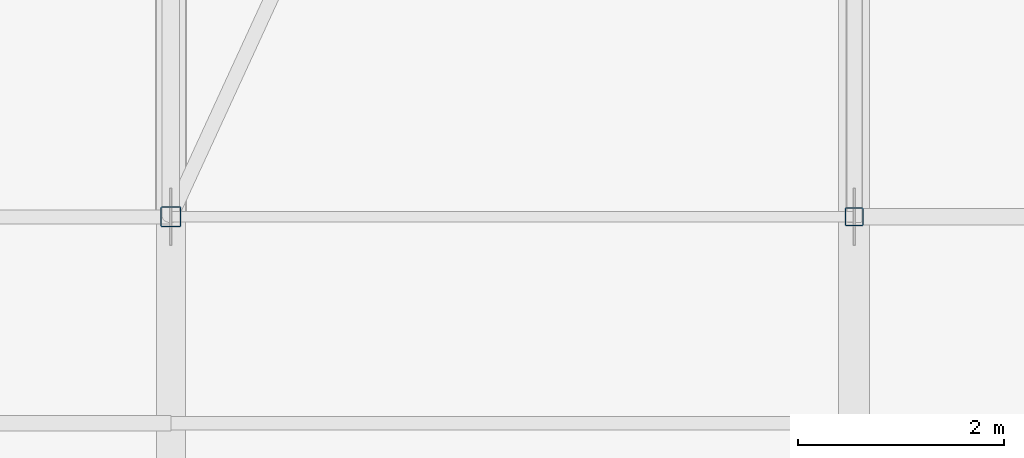
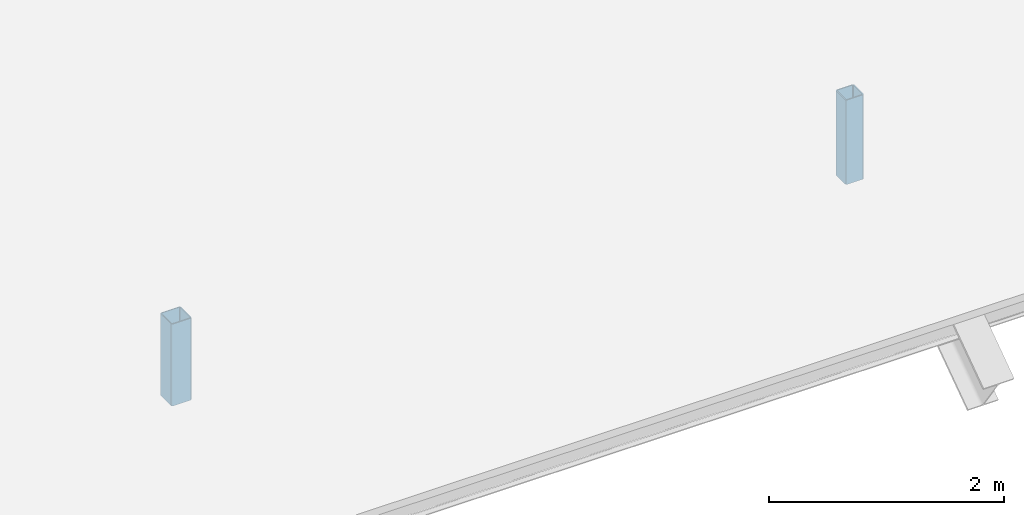
# One storey, part 87 of 134: 2 members.
"""IFC4 building model written with IfcOpenShell, lengths in metres."""

import ifcopenshell
import ifcopenshell.guid

model = None  # the IFC model being written
_history = None  # IfcOwnerHistory: only IFC2X3 demands one
_inside = {}  # id of a spatial element -> (the spatial element, [elements in it])
_under = {}  # id of a project, library or spatial element -> (it, [spatial elements below it])
_declared = {}  # id of a project -> (the project, [libraries it declares])
_typed = {}  # id of a type object -> (the type object, [elements of that type])
_made_of = {}  # id of a material, layer set ... -> (it, [elements and type objects made of it])


def new_model(schema):
    """Start an empty IFC model of exactly this schema.

    Asked for "IFC4X3", IfcOpenShell would pick the latest addendum, in which some entities
    have other attributes; the version numbers below select the first issue.
    IFC2X3 requires an IfcOwnerHistory on every rooted entity: one is made here for all.
    """
    global model, _history
    if schema == "IFC4X3":
        model = ifcopenshell.file(schema_version=(4, 3, 0, 0))
    else:
        model = ifcopenshell.file(schema=schema)
    _inside.clear()
    _under.clear()
    _declared.clear()
    _typed.clear()
    _made_of.clear()
    _history = None
    if model.schema == "IFC2X3":
        org = make("IfcOrganization", Name="unknown")
        user = make(
            "IfcPersonAndOrganization",
            ThePerson=make("IfcPerson", FamilyName="unknown"),
            TheOrganization=org,
        )
        app = make(
            "IfcApplication",
            ApplicationDeveloper=org,
            Version="unknown",
            ApplicationFullName="unknown",
            ApplicationIdentifier="unknown",
        )
        _history = make(
            "IfcOwnerHistory",
            OwningUser=user,
            OwningApplication=app,
            ChangeAction="ADDED",
            CreationDate=0,
        )
    return model


def make(cls, **values):
    """One entity of the class cls with the attributes given. An attribute that is None is left unset."""
    return model.create_entity(
        cls, **{name: value for name, value in values.items() if value is not None}
    )


def rooted(cls, **values):
    """An entity with a GlobalId (a new one), such as an element, a storey or a relation."""
    return make(cls, GlobalId=ifcopenshell.guid.new(), OwnerHistory=_history, **values)


def si_unit(unit_type, name, prefix=None):
    """IfcSIUnit, for example si_unit("LENGTHUNIT", "METRE", prefix="MILLI")."""
    return make("IfcSIUnit", UnitType=unit_type, Prefix=prefix, Name=name)


def assignment(units):
    """IfcUnitAssignment: the units of a project."""
    return None if units is None else make("IfcUnitAssignment", Units=units)


def point(xyz):
    """IfcCartesianPoint."""
    return None if xyz is None else make("IfcCartesianPoint", Coordinates=xyz)


def direction(xyz):
    """IfcDirection."""
    return None if xyz is None else make("IfcDirection", DirectionRatios=xyz)


def frame(location, z_axis=None, x_axis=None):
    """IfcAxis2Placement3D, a coordinate frame: its origin and axes. An axis left out is left unset."""
    return make(
        "IfcAxis2Placement3D",
        Location=point(location),
        Axis=direction(z_axis),
        RefDirection=direction(x_axis),
    )


def frame_2d(location, x_axis=None):
    """IfcAxis2Placement2D, a coordinate frame in the plane: its origin and x axis."""
    return make(
        "IfcAxis2Placement2D", Location=point(location), RefDirection=direction(x_axis)
    )


def origin():
    """The frame at (0, 0, 0) with its axes left unset."""
    return frame((0.0, 0.0, 0.0))


def origin_2d():
    """The frame at (0, 0) in the plane with its x axis left unset."""
    return frame_2d((0.0, 0.0))


def place(relative_to, where):
    """IfcLocalPlacement: puts the frame where relative to a parent placement (None: the world)."""
    return make(
        "IfcLocalPlacement", PlacementRelTo=relative_to, RelativePlacement=where
    )


def context(
    kind, dimensions, precision=None, world=None, true_north=None, identifier=None
):
    """IfcGeometricRepresentationContext, for example the 3D "Model" context."""
    return make(
        "IfcGeometricRepresentationContext",
        ContextIdentifier=identifier,
        ContextType=kind,
        CoordinateSpaceDimension=dimensions,
        Precision=precision,
        WorldCoordinateSystem=world,
        TrueNorth=true_north,
    )


def subcontext(parent, identifier, kind, view, scale=None):
    """IfcGeometricRepresentationSubContext, for example "Body" below "Model"."""
    return make(
        "IfcGeometricRepresentationSubContext",
        ContextIdentifier=identifier,
        ContextType=kind,
        ParentContext=parent,
        TargetScale=scale,
        TargetView=view,
    )


def project(units=None, contexts=None):
    """IfcProject with its units and contexts."""
    return rooted(
        "IfcProject",
        Name="project",
        RepresentationContexts=contexts,
        UnitsInContext=assignment(units),
    )


def spatial(cls, under=None, at=None, **own):
    """A site, building, storey or space (cls), placed at a placement, below another one or the project."""
    s = rooted(cls, ObjectPlacement=at, **own)
    if under is not None:
        _under.setdefault(under.id(), (under, []))[1].append(s)
    return s


def profile(cls, at=None, kind="AREA", **sizes):
    """A parametric profile (cls). Its sizes go by their IFC names, for example OverallWidth=200.0."""
    return make(cls, ProfileType=kind, Position=at, **sizes)


def hollow_rectangle(**sizes):
    """IfcRectangleHollowProfileDef."""
    return profile("IfcRectangleHollowProfileDef", **sizes)


def extrude(swept, where, along, depth):
    """IfcExtrudedAreaSolid: the profile swept, set in the frame where, extruded along a direction by depth."""
    return make(
        "IfcExtrudedAreaSolid",
        SweptArea=swept,
        Position=where,
        ExtrudedDirection=direction(along),
        Depth=depth,
    )


def shape(context_of_items, identifier, shape_type, items):
    """IfcShapeRepresentation: the items that make up one representation, for example the "Body"."""
    return make(
        "IfcShapeRepresentation",
        ContextOfItems=context_of_items,
        RepresentationIdentifier=identifier,
        RepresentationType=shape_type,
        Items=items,
    )


def material(Name=None, Category=None):
    """IfcMaterial."""
    return make("IfcMaterial", Name=Name, Category=Category)


def material_profile(
    of_material, cross_section, Name=None, Category=None, Priority=None
):
    """IfcMaterialProfile: a cross section and its material."""
    return make(
        "IfcMaterialProfile",
        Name=Name,
        Material=of_material,
        Profile=cross_section,
        Priority=Priority,
        Category=Category,
    )


def profile_set(profiles, Name=None, composite=None):
    """IfcMaterialProfileSet."""
    return make(
        "IfcMaterialProfileSet",
        Name=Name,
        MaterialProfiles=profiles,
        CompositeProfile=composite,
    )


def made_of(thing, what):
    """Note that an element or type object is made of a material, layer set ...; save() writes the relation."""
    if what is not None:
        _made_of.setdefault(what.id(), (what, []))[1].append(thing)
    return thing


def type_object(cls, material=None, **own):
    """A type object (cls), such as IfcWallType, which elements share."""
    return made_of(rooted(cls, **own), material)


def element(
    cls,
    number,
    at=None,
    inside=None,
    cuts=None,
    type_object=None,
    material=None,
    context=None,
    identifier="Body",
    shape_type=None,
    held_by="IfcProductDefinitionShape",
    body=None,
    shapes=None,
    **own,
):
    """One element of the class cls, such as IfcWall. Its Tag is "e" and its number.

    at: its placement. inside: the storey or other place that contains it. cuts: it is an
    opening in that element (IfcRelVoidsElement). A single representation is given by context,
    identifier, shape_type and body (its items); several are given by shapes. held_by: the class
    of the entity that holds the representations. save() writes the other relations.
    """
    e = rooted(cls, Tag="e%d" % number, ObjectPlacement=at, **own)
    if body is not None:
        shapes = [shape(context, identifier, shape_type, body)]
    if shapes is not None:
        e.Representation = make(held_by, Representations=shapes)
    if inside is not None:
        _inside.setdefault(inside.id(), (inside, []))[1].append(e)
    if cuts is not None:
        rooted(
            "IfcRelVoidsElement", RelatingBuildingElement=cuts, RelatedOpeningElement=e
        )
    if type_object is not None:
        _typed.setdefault(type_object.id(), (type_object, []))[1].append(e)
    return made_of(e, material)


def aggregate(whole, parts):
    """IfcRelAggregates: a whole, such as a stair, and the parts it consists of."""
    return rooted("IfcRelAggregates", RelatingObject=whole, RelatedObjects=parts)


def save(model, path):
    """Write the relations noted so far, then the file.

    IfcRelAggregates (storeys below a building ...), IfcRelContainedInSpatialStructure (elements
    in a storey), IfcRelDefinesByType, IfcRelAssociatesMaterial and IfcRelDeclares: one each for
    every whole, place, type object, material and project.
    """
    for whole, parts in _under.values():
        aggregate(whole, parts)
    for where, things in _inside.values():
        rooted(
            "IfcRelContainedInSpatialStructure",
            RelatedElements=things,
            RelatingStructure=where,
        )
    for kind, things in _typed.values():
        rooted("IfcRelDefinesByType", RelatedObjects=things, RelatingType=kind)
    for what, things in _made_of.values():
        rooted("IfcRelAssociatesMaterial", RelatedObjects=things, RelatingMaterial=what)
    for by, libraries in _declared.values():
        rooted("IfcRelDeclares", RelatingContext=by, RelatedDefinitions=libraries)
    model.write(path)


model = new_model("IFC4")

# Units and contexts
model_context = context("Model", 3, precision=1e-05, world=origin(), true_north=direction((0.0, 1.0)))
body_context = subcontext(model_context, "Body", "Model", "MODEL_VIEW")
ifc_project = project(units=[si_unit("LENGTHUNIT", "METRE"), si_unit("AREAUNIT", "SQUARE_METRE"), si_unit("VOLUMEUNIT", "CUBIC_METRE"), si_unit("PLANEANGLEUNIT", "RADIAN"), si_unit("MASSUNIT", "GRAM", prefix="KILO")], contexts=[model_context])

# Site, building, storey
site_placement = place(None, origin())
site = spatial("IfcSite", under=ifc_project, at=site_placement, CompositionType="ELEMENT")
building_placement = place(site_placement, origin())
building = spatial("IfcBuilding", under=site, at=building_placement, Name="Asteropetra Specialist Clinic", CompositionType="ELEMENT")
storey_placement = place(building_placement, frame((0.0, 0.0, 8.5)))
storey = spatial("IfcBuildingStorey", under=building, at=storey_placement, Name="L02", CompositionType="ELEMENT", Elevation=8.5)

# Members
ifc_material_1 = material(Name="Steel S355", Category="steel")
ifc_material_profile_1 = material_profile(ifc_material_1, hollow_rectangle(XDim=0.179931640625, YDim=0.179931640625, WallThickness=0.010009765625, InnerFilletRadius=0.008056640625, OuterFilletRadius=0.01611328125, at=origin_2d()), Name="SHS 180x180x10.0")
ifc_profile_set_1 = profile_set([ifc_material_profile_1], Name="Steel S355")
member_type_1 = type_object("IfcMemberType", Name="TR-STR-SHS180", PredefinedType="STRUT", material=ifc_profile_set_1)
member_1_placement = place(storey_placement, frame((146.47998046875, 76.800048828125, 0.469970703125), z_axis=(0.0, 0.0, 1.0), x_axis=(1.0, 0.0, 0.0)))
element("IfcMember", 1, at=member_1_placement, inside=storey, type_object=member_type_1, Name="Truss Web Strut TRV1-V10-0", PredefinedType="STRUT", context=body_context, shape_type="SweptSolid", body=[
    extrude(hollow_rectangle(XDim=0.179931640625, YDim=0.179931640625, WallThickness=0.010009765625, InnerFilletRadius=0.008056640625, OuterFilletRadius=0.01611328125, at=origin_2d()), origin(), (0.0, 0.0, 1.0), 0.876708984375),
])
ifc_material_2 = material(Name="Steel S355", Category="steel")
ifc_material_profile_2 = material_profile(ifc_material_2, hollow_rectangle(XDim=0.199951171875, YDim=0.199951171875, WallThickness=0.010009765625, InnerFilletRadius=0.008056640625, OuterFilletRadius=0.01611328125, at=origin_2d()), Name="SHS 200x200x10.0")
ifc_profile_set_2 = profile_set([ifc_material_profile_2], Name="Steel S355")
member_type_2 = type_object("IfcMemberType", Name="TR-STR-SHS200", PredefinedType="STRUT", material=ifc_profile_set_2)
member_2_placement = place(storey_placement, frame((139.860107421875, 76.800048828125, 0.4951171875), z_axis=(0.0, 0.0, 1.0), x_axis=(1.0, 0.0, 0.0)))
element("IfcMember", 2, at=member_2_placement, inside=storey, type_object=member_type_2, Name="Truss Web Strut TRV1-V09-0", PredefinedType="STRUT", context=body_context, shape_type="SweptSolid", body=[
    extrude(hollow_rectangle(XDim=0.199951171875, YDim=0.199951171875, WallThickness=0.010009765625, InnerFilletRadius=0.008056640625, OuterFilletRadius=0.01611328125, at=origin_2d()), origin(), (0.0, 0.0, 1.0), 0.8515625),
])

save(model, "model.ifc")
